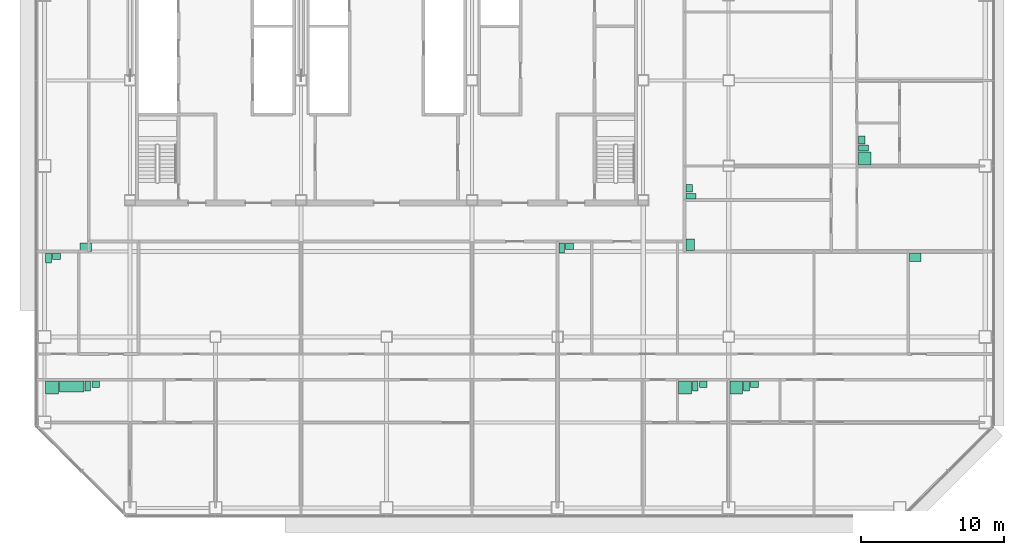
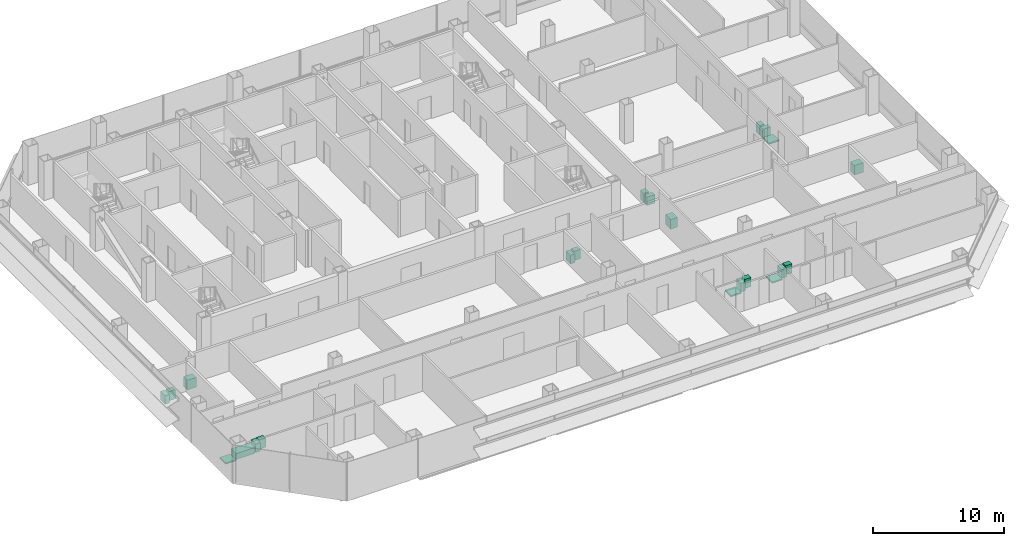
# One storey, part 27 of 27: 22 sanitary terminals.
"""IFC4 building model written with IfcOpenShell, lengths in metres."""

from ifc_helpers import new_model, si_unit, direction, frame, origin, origin_2d, place, context, subcontext, project, spatial, rectangle, extrude, element, save


model = new_model("IFC4")

# Units and contexts
model_context = context("Model", 3, precision=1e-05, world=origin(), true_north=direction((0.0, 1.0)))
body_context = subcontext(model_context, "Body", "Model", "MODEL_VIEW")
ifc_project = project(units=[si_unit("LENGTHUNIT", "METRE"), si_unit("AREAUNIT", "SQUARE_METRE"), si_unit("VOLUMEUNIT", "CUBIC_METRE"), si_unit("PLANEANGLEUNIT", "RADIAN"), si_unit("MASSUNIT", "GRAM", prefix="KILO")], contexts=[model_context])

# Site, building, storey
site_placement = place(None, origin())
site = spatial("IfcSite", under=ifc_project, at=site_placement, CompositionType="ELEMENT")
building_placement = place(site_placement, origin())
building = spatial("IfcBuilding", under=site, at=building_placement, Name="Sorahane Residences", CompositionType="ELEMENT")
storey_placement = place(building_placement, frame((0.0, 0.0, 57.0)))
storey = spatial("IfcBuildingStorey", under=building, at=storey_placement, Name="L10", CompositionType="ELEMENT", Elevation=57.0)

# Sanitary terminals
sanitary_terminal_1_placement = place(storey_placement, frame((0.530029296875, 8.449951171875, 0.0), z_axis=(0.0, 0.0, 1.0), x_axis=(1.0, 0.0, 0.0)))
element("IfcSanitaryTerminal", 1, at=sanitary_terminal_1_placement, inside=storey, Name="Shower tray En-suite bathroom 10A", PredefinedType="SHOWER", context=body_context, shape_type="SweptSolid", body=[
    extrude(rectangle(XDim=0.89990234375, YDim=0.89990234375, at=origin_2d()), origin(), (0.0, 0.0, 1.0), 0.1201171875),
])
sanitary_terminal_2_placement = place(storey_placement, frame((1.909912109375, 8.52490234375, 0.0), z_axis=(0.0, 0.0, 1.0), x_axis=(1.0, 0.0, 0.0)))
element("IfcSanitaryTerminal", 2, at=sanitary_terminal_2_placement, inside=storey, Name="Bath En-suite bathroom 10A", PredefinedType="BATH", context=body_context, shape_type="SweptSolid", body=[
    extrude(rectangle(XDim=1.699951171875, YDim=0.75, at=origin_2d()), origin(), (0.0, 0.0, 1.0), 0.56005859375),
])
sanitary_terminal_3_placement = place(storey_placement, frame((3.0400390625, 8.550048828125, 0.0), z_axis=(0.0, 0.0, 1.0), x_axis=(1.0, 0.0, 0.0)))
element("IfcSanitaryTerminal", 3, at=sanitary_terminal_3_placement, inside=storey, Name="WC pan En-suite bathroom 10A", PredefinedType="TOILETPAN", context=body_context, shape_type="SweptSolid", body=[
    extrude(rectangle(XDim=0.39990234375, YDim=0.699951171875, at=origin_2d()), origin(), (0.0, 0.0, 1.0), 0.800048828125),
])
sanitary_terminal_4_placement = place(storey_placement, frame((3.594970703125, 8.675048828125, 0.0), z_axis=(0.0, 0.0, 1.0), x_axis=(1.0, 0.0, 0.0)))
element("IfcSanitaryTerminal", 4, at=sanitary_terminal_4_placement, inside=storey, Name="Wash basin En-suite bathroom 10A", PredefinedType="WASHHANDBASIN", context=body_context, shape_type="SweptSolid", body=[
    extrude(rectangle(XDim=0.550048828125, YDim=0.449951171875, at=origin_2d()), origin(), (0.0, 0.0, 1.0), 0.85009765625),
])
sanitary_terminal_5_placement = place(storey_placement, frame((0.280029296875, 17.550048828125, 0.0), z_axis=(0.0, 0.0, 1.0), x_axis=(1.0, 0.0, 0.0)))
element("IfcSanitaryTerminal", 5, at=sanitary_terminal_5_placement, inside=storey, Name="WC pan Powder room 10A", PredefinedType="TOILETPAN", context=body_context, shape_type="SweptSolid", body=[
    extrude(rectangle(XDim=0.39990234375, YDim=0.699951171875, at=origin_2d()), origin(), (0.0, 0.0, 1.0), 0.800048828125),
])
sanitary_terminal_6_placement = place(storey_placement, frame((0.8349609375, 17.675048828125, 0.0), z_axis=(0.0, 0.0, 1.0), x_axis=(1.0, 0.0, 0.0)))
element("IfcSanitaryTerminal", 6, at=sanitary_terminal_6_placement, inside=storey, Name="Wash basin Powder room 10A", PredefinedType="WASHHANDBASIN", context=body_context, shape_type="SweptSolid", body=[
    extrude(rectangle(XDim=0.550048828125, YDim=0.449951171875, at=origin_2d()), origin(), (0.0, 0.0, 1.0), 0.85009765625),
])
sanitary_terminal_7_placement = place(storey_placement, frame((2.8798828125, 18.300048828125, 0.0), z_axis=(0.0, 0.0, 1.0), x_axis=(1.0, 0.0, 0.0)))
element("IfcSanitaryTerminal", 7, at=sanitary_terminal_7_placement, inside=storey, Name="Kitchen sink Kitchen 10A", PredefinedType="SINK", context=body_context, shape_type="SweptSolid", body=[
    extrude(rectangle(XDim=0.800048828125, YDim=0.60009765625, at=origin_2d()), origin(), (0.0, 0.0, 1.0), 0.89990234375),
])
sanitary_terminal_8_placement = place(storey_placement, frame((44.929931640625, 8.449951171875, 0.0), z_axis=(0.0, 0.0, 1.0), x_axis=(1.0, 0.0, 0.0)))
element("IfcSanitaryTerminal", 8, at=sanitary_terminal_8_placement, inside=storey, Name="Shower tray En-suite bathroom 10B", PredefinedType="SHOWER", context=body_context, shape_type="SweptSolid", body=[
    extrude(rectangle(XDim=0.89990234375, YDim=0.89990234375, at=origin_2d()), origin(), (0.0, 0.0, 1.0), 0.1201171875),
])
sanitary_terminal_9_placement = place(storey_placement, frame((45.659912109375, 8.550048828125, 0.0), z_axis=(0.0, 0.0, 1.0), x_axis=(1.0, 0.0, 0.0)))
element("IfcSanitaryTerminal", 9, at=sanitary_terminal_9_placement, inside=storey, Name="WC pan En-suite bathroom 10B", PredefinedType="TOILETPAN", context=body_context, shape_type="SweptSolid", body=[
    extrude(rectangle(XDim=0.39990234375, YDim=0.699951171875, at=origin_2d()), origin(), (0.0, 0.0, 1.0), 0.800048828125),
])
sanitary_terminal_10_placement = place(storey_placement, frame((46.215087890625, 8.675048828125, 0.0), z_axis=(0.0, 0.0, 1.0), x_axis=(1.0, 0.0, 0.0)))
element("IfcSanitaryTerminal", 10, at=sanitary_terminal_10_placement, inside=storey, Name="Wash basin En-suite bathroom 10B", PredefinedType="WASHHANDBASIN", context=body_context, shape_type="SweptSolid", body=[
    extrude(rectangle(XDim=0.550048828125, YDim=0.449951171875, at=origin_2d()), origin(), (0.0, 0.0, 1.0), 0.85009765625),
])
sanitary_terminal_11_placement = place(storey_placement, frame((48.530029296875, 8.449951171875, 0.0), z_axis=(0.0, 0.0, 1.0), x_axis=(1.0, 0.0, 0.0)))
element("IfcSanitaryTerminal", 11, at=sanitary_terminal_11_placement, inside=storey, Name="Shower tray En-suite bathroom 10B-2", PredefinedType="SHOWER", context=body_context, shape_type="SweptSolid", body=[
    extrude(rectangle(XDim=0.89990234375, YDim=0.89990234375, at=origin_2d()), origin(), (0.0, 0.0, 1.0), 0.1201171875),
])
sanitary_terminal_12_placement = place(storey_placement, frame((49.260009765625, 8.550048828125, 0.0), z_axis=(0.0, 0.0, 1.0), x_axis=(1.0, 0.0, 0.0)))
element("IfcSanitaryTerminal", 12, at=sanitary_terminal_12_placement, inside=storey, Name="WC pan En-suite bathroom 10B-2", PredefinedType="TOILETPAN", context=body_context, shape_type="SweptSolid", body=[
    extrude(rectangle(XDim=0.39990234375, YDim=0.699951171875, at=origin_2d()), origin(), (0.0, 0.0, 1.0), 0.800048828125),
])
sanitary_terminal_13_placement = place(storey_placement, frame((49.81494140625, 8.675048828125, 0.0), z_axis=(0.0, 0.0, 1.0), x_axis=(1.0, 0.0, 0.0)))
element("IfcSanitaryTerminal", 13, at=sanitary_terminal_13_placement, inside=storey, Name="Wash basin En-suite bathroom 10B-2", PredefinedType="WASHHANDBASIN", context=body_context, shape_type="SweptSolid", body=[
    extrude(rectangle(XDim=0.550048828125, YDim=0.449951171875, at=origin_2d()), origin(), (0.0, 0.0, 1.0), 0.85009765625),
])
sanitary_terminal_14_placement = place(storey_placement, frame((36.280029296875, 18.25, 0.0), z_axis=(0.0, 0.0, 1.0), x_axis=(1.0, 0.0, 0.0)))
element("IfcSanitaryTerminal", 14, at=sanitary_terminal_14_placement, inside=storey, Name="WC pan Guest WC 10B", PredefinedType="TOILETPAN", context=body_context, shape_type="SweptSolid", body=[
    extrude(rectangle(XDim=0.39990234375, YDim=0.699951171875, at=origin_2d()), origin(), (0.0, 0.0, 1.0), 0.800048828125),
])
sanitary_terminal_15_placement = place(storey_placement, frame((36.8349609375, 18.375, 0.0), z_axis=(0.0, 0.0, 1.0), x_axis=(1.0, 0.0, 0.0)))
element("IfcSanitaryTerminal", 15, at=sanitary_terminal_15_placement, inside=storey, Name="Wash basin Guest WC 10B", PredefinedType="WASHHANDBASIN", context=body_context, shape_type="SweptSolid", body=[
    extrude(rectangle(XDim=0.550048828125, YDim=0.449951171875, at=origin_2d()), origin(), (0.0, 0.0, 1.0), 0.85009765625),
])
sanitary_terminal_16_placement = place(storey_placement, frame((61.080078125, 17.60009765625, 0.0), z_axis=(0.0, 0.0, 1.0), x_axis=(1.0, 0.0, 0.0)))
element("IfcSanitaryTerminal", 16, at=sanitary_terminal_16_placement, inside=storey, Name="Kitchen sink Kitchen 10B", PredefinedType="SINK", context=body_context, shape_type="SweptSolid", body=[
    extrude(rectangle(XDim=0.800048828125, YDim=0.60009765625, at=origin_2d()), origin(), (0.0, 0.0, 1.0), 0.89990234375),
])
sanitary_terminal_17_placement = place(storey_placement, frame((57.550048828125, 24.530029296875, 0.0), z_axis=(0.0, 0.0, 1.0), x_axis=(0.0, 1.0, 0.0)))
element("IfcSanitaryTerminal", 17, at=sanitary_terminal_17_placement, inside=storey, Name="Shower tray En-suite bathroom 10C", PredefinedType="SHOWER", context=body_context, shape_type="SweptSolid", body=[
    extrude(rectangle(XDim=0.89990234375, YDim=0.89990234375, at=origin_2d()), origin(), (0.0, 0.0, 1.0), 0.1201171875),
])
sanitary_terminal_18_placement = place(storey_placement, frame((57.449951171875, 25.260009765625, 0.0), z_axis=(0.0, 0.0, 1.0), x_axis=(0.0, 1.0, 0.0)))
element("IfcSanitaryTerminal", 18, at=sanitary_terminal_18_placement, inside=storey, Name="WC pan En-suite bathroom 10C", PredefinedType="TOILETPAN", context=body_context, shape_type="SweptSolid", body=[
    extrude(rectangle(XDim=0.39990234375, YDim=0.699951171875, at=origin_2d()), origin(), (0.0, 0.0, 1.0), 0.800048828125),
])
sanitary_terminal_19_placement = place(storey_placement, frame((57.324951171875, 25.81494140625, 0.0), z_axis=(0.0, 0.0, 1.0), x_axis=(0.0, 1.0, 0.0)))
element("IfcSanitaryTerminal", 19, at=sanitary_terminal_19_placement, inside=storey, Name="Wash basin En-suite bathroom 10C", PredefinedType="WASHHANDBASIN", context=body_context, shape_type="SweptSolid", body=[
    extrude(rectangle(XDim=0.550048828125, YDim=0.449951171875, at=origin_2d()), origin(), (0.0, 0.0, 1.0), 0.85009765625),
])
sanitary_terminal_20_placement = place(storey_placement, frame((45.300048828125, 18.47998046875, 0.0), z_axis=(0.0, 0.0, 1.0), x_axis=(0.0, 1.0, 0.0)))
element("IfcSanitaryTerminal", 20, at=sanitary_terminal_20_placement, inside=storey, Name="Kitchen sink Kitchen 10C", PredefinedType="SINK", context=body_context, shape_type="SweptSolid", body=[
    extrude(rectangle(XDim=0.800048828125, YDim=0.60009765625, at=origin_2d()), origin(), (0.0, 0.0, 1.0), 0.89990234375),
])
sanitary_terminal_21_placement = place(storey_placement, frame((45.35009765625, 21.8798828125, 0.0), z_axis=(0.0, 0.0, 1.0), x_axis=(0.0, 1.0, 0.0)))
element("IfcSanitaryTerminal", 21, at=sanitary_terminal_21_placement, inside=storey, Name="WC pan Guest WC 10C", PredefinedType="TOILETPAN", context=body_context, shape_type="SweptSolid", body=[
    extrude(rectangle(XDim=0.39990234375, YDim=0.699951171875, at=origin_2d()), origin(), (0.0, 0.0, 1.0), 0.800048828125),
])
sanitary_terminal_22_placement = place(storey_placement, frame((45.22509765625, 22.43505859375, 0.0), z_axis=(0.0, 0.0, 1.0), x_axis=(0.0, 1.0, 0.0)))
element("IfcSanitaryTerminal", 22, at=sanitary_terminal_22_placement, inside=storey, Name="Wash basin Guest WC 10C", PredefinedType="WASHHANDBASIN", context=body_context, shape_type="SweptSolid", body=[
    extrude(rectangle(XDim=0.550048828125, YDim=0.449951171875, at=origin_2d()), origin(), (0.0, 0.0, 1.0), 0.85009765625),
])

save(model, "model.ifc")
